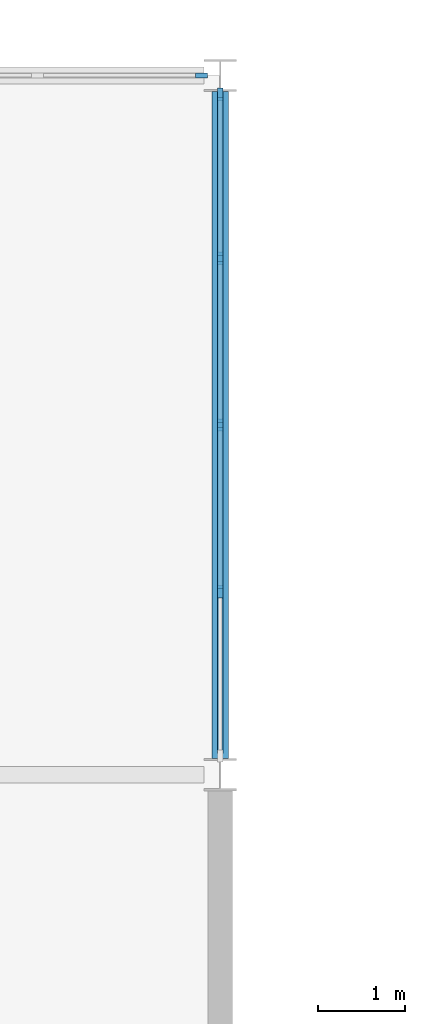
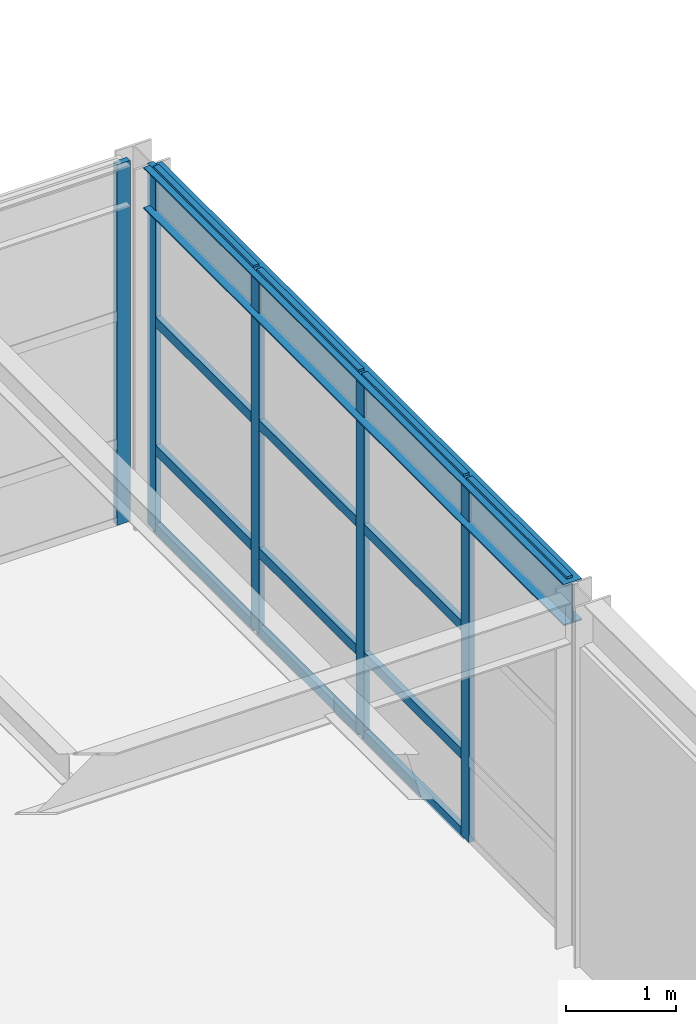
# One storey, part 21 of 50: 18 members, 1 beam, 2 elements without a shape of their own.
"""IFC4 building model written with IfcOpenShell, lengths in metres."""

from ifc_helpers import new_model, si_unit, direction, frame, origin, origin_2d, place, context, subcontext, project, spatial, rectangle, i_section, extrude, material, layer, layer_set, material_profile, profile_set, type_object, element, aggregate, save


model = new_model("IFC4")

# Units and contexts
model_context = context("Model", 3, precision=1e-05, world=origin(), true_north=direction((0.0, 1.0)))
body_context = subcontext(model_context, "Body", "Model", "MODEL_VIEW")
ifc_project = project(units=[si_unit("LENGTHUNIT", "METRE"), si_unit("AREAUNIT", "SQUARE_METRE"), si_unit("VOLUMEUNIT", "CUBIC_METRE"), si_unit("PLANEANGLEUNIT", "RADIAN"), si_unit("MASSUNIT", "GRAM", prefix="KILO")], contexts=[model_context])

# Site, building, storey
site_placement = place(None, origin())
site = spatial("IfcSite", under=ifc_project, at=site_placement, CompositionType="ELEMENT")
building_placement = place(site_placement, origin())
building = spatial("IfcBuilding", under=site, at=building_placement, Name="Varnela Railside Interchange", CompositionType="ELEMENT")
storey_placement = place(building_placement, frame((0.0, 0.0, 15.39990234375)))
storey = spatial("IfcBuildingStorey", under=building, at=storey_placement, Name="L03", CompositionType="ELEMENT", Elevation=15.39990234375)

# Curtain wall, member
ifc_material_1 = material(Name="Aluminium 6063-T6", Category="aluminium")
ifc_layer = layer(ifc_material_1, 0.035888671875)
ifc_layer_set = layer_set([ifc_layer], Name="Aluminium 6063-T6")
curtain_wall_type = type_object("IfcCurtainWallType", Name="Operations Wing Facade Curtain Wall CW-03", PredefinedType="USERDEFINED", material=ifc_layer_set)
curtain_wall_1_placement = place(storey_placement, origin())
curtain_wall_1 = element("IfcCurtainWall", 1, at=curtain_wall_1_placement, inside=storey, type_object=curtain_wall_type, Name="Curtain Wall CW-03 (L03) (CW-083)", ObjectType="CURTAIN WALL", PredefinedType="USERDEFINED")
ifc_material_profile_1 = material_profile(ifc_material_1, rectangle(XDim=0.06005859375, YDim=0.139892578125, at=origin_2d()), Name="ALU 60x140")
ifc_profile_set_1 = profile_set([ifc_material_profile_1], Name="Aluminium 6063-T6")
member_type_1 = type_object("IfcMemberType", Name="Curtain Wall Mullion ML-01", PredefinedType="MULLION", material=ifc_profile_set_1)
member_1_placement = place(storey_placement, frame((51.783447265625, 94.0, 0.0), z_axis=(0.0, 0.0, 1.0), x_axis=(0.0, 1.0, 0.0)))
member_1 = element("IfcMember", 2, at=member_1_placement, type_object=member_type_1, Name="CW-03 mullion 5", PredefinedType="MULLION", context=body_context, shape_type="SweptSolid", body=[
    extrude(rectangle(XDim=0.06005859375, YDim=0.139892578125, at=origin_2d()), origin(), (0.0, 0.0, 1.0), 4.0),
])
aggregate(curtain_wall_1, [member_1])

# Curtain wall, members
curtain_wall_2_placement = place(storey_placement, origin())
curtain_wall_2 = element("IfcCurtainWall", 3, at=curtain_wall_2_placement, inside=storey, type_object=curtain_wall_type, Name="Curtain Wall CW-03 (L03) (CW-085)", ObjectType="CURTAIN WALL", PredefinedType="USERDEFINED")
member_2_placement = place(storey_placement, frame((52.0, 93.785888671875, 0.0), z_axis=(0.0, 0.0, 1.0), x_axis=(1.0, 0.0, 0.0)))
member_2 = element("IfcMember", 4, at=member_2_placement, type_object=member_type_1, Name="CW-03 mullion 1", PredefinedType="MULLION", context=body_context, shape_type="SweptSolid", body=[
    extrude(rectangle(XDim=0.06005859375, YDim=0.139892578125, at=origin_2d()), origin(), (0.0, 0.0, 1.0), 4.0),
])
member_3_placement = place(storey_placement, frame((52.0, 91.907958984375, 0.0), z_axis=(0.0, 0.0, 1.0), x_axis=(1.0, 0.0, 0.0)))
member_3 = element("IfcMember", 5, at=member_3_placement, type_object=member_type_1, Name="CW-03 mullion 2", PredefinedType="MULLION", context=body_context, shape_type="SweptSolid", body=[
    extrude(rectangle(XDim=0.06005859375, YDim=0.139892578125, at=origin_2d()), origin(), (0.0, 0.0, 1.0), 4.0),
])
member_4_placement = place(storey_placement, frame((52.0, 90.0, 0.0), z_axis=(0.0, 0.0, 1.0), x_axis=(1.0, 0.0, 0.0)))
member_4 = element("IfcMember", 6, at=member_4_placement, type_object=member_type_1, Name="CW-03 mullion 3", PredefinedType="MULLION", context=body_context, shape_type="SweptSolid", body=[
    extrude(rectangle(XDim=0.06005859375, YDim=0.139892578125, at=origin_2d()), origin(), (0.0, 0.0, 1.0), 4.0),
])
member_5_placement = place(storey_placement, frame((52.0, 88.092041015625, 0.0), z_axis=(0.0, 0.0, 1.0), x_axis=(1.0, 0.0, 0.0)))
member_5 = element("IfcMember", 7, at=member_5_placement, type_object=member_type_1, Name="CW-03 mullion 4", PredefinedType="MULLION", context=body_context, shape_type="SweptSolid", body=[
    extrude(rectangle(XDim=0.06005859375, YDim=0.139892578125, at=origin_2d()), origin(), (0.0, 0.0, 1.0), 4.0),
])
ifc_material_profile_2 = material_profile(ifc_material_1, rectangle(XDim=0.06005859375, YDim=0.110107421875, at=origin_2d()), Name="ALU 60x110")
ifc_profile_set_2 = profile_set([ifc_material_profile_2], Name="Aluminium 6063-T6")
member_type_2 = type_object("IfcMemberType", Name="Curtain Wall Transom TR-01", PredefinedType="USERDEFINED", material=ifc_profile_set_2)
member_6_placement = place(storey_placement, frame((52.0, 93.756103515625, 0.030029296875), z_axis=(0.0, -1.0, 0.0), x_axis=(1.0, 0.0, 0.0)))
member_6 = element("IfcMember", 8, at=member_6_placement, type_object=member_type_2, Name="CW-03 transom 1.1", ObjectType="TRANSOM", PredefinedType="USERDEFINED", context=body_context, shape_type="SweptSolid", body=[
    extrude(rectangle(XDim=0.06005859375, YDim=0.110107421875, at=origin_2d()), origin(), (0.0, 0.0, 1.0), 1.818115234375),
])
member_7_placement = place(storey_placement, frame((52.0, 93.756103515625, 0.900146484375), z_axis=(0.0, -1.0, 0.0), x_axis=(1.0, 0.0, 0.0)))
member_7 = element("IfcMember", 9, at=member_7_placement, type_object=member_type_2, Name="CW-03 transom 1.2", ObjectType="TRANSOM", PredefinedType="USERDEFINED", context=body_context, shape_type="SweptSolid", body=[
    extrude(rectangle(XDim=0.06005859375, YDim=0.110107421875, at=origin_2d()), origin(), (0.0, 0.0, 1.0), 1.818115234375),
])
member_8_placement = place(storey_placement, frame((52.0, 93.756103515625, 2.320068359375), z_axis=(0.0, -1.0, 0.0), x_axis=(1.0, 0.0, 0.0)))
member_8 = element("IfcMember", 10, at=member_8_placement, type_object=member_type_2, Name="CW-03 transom 1.3", ObjectType="TRANSOM", PredefinedType="USERDEFINED", context=body_context, shape_type="SweptSolid", body=[
    extrude(rectangle(XDim=0.06005859375, YDim=0.110107421875, at=origin_2d()), origin(), (0.0, 0.0, 1.0), 1.818115234375),
])
member_9_placement = place(storey_placement, frame((52.0, 93.756103515625, 3.97021484375), z_axis=(0.0, -1.0, 0.0), x_axis=(1.0, 0.0, 0.0)))
member_9 = element("IfcMember", 11, at=member_9_placement, type_object=member_type_2, Name="CW-03 transom 1.4", ObjectType="TRANSOM", PredefinedType="USERDEFINED", context=body_context, shape_type="SweptSolid", body=[
    extrude(rectangle(XDim=0.06005859375, YDim=0.110107421875, at=origin_2d()), origin(), (0.0, 0.0, 1.0), 1.818115234375),
])
member_10_placement = place(storey_placement, frame((52.0, 91.8779296875, 0.030029296875), z_axis=(0.0, -1.0, 0.0), x_axis=(1.0, 0.0, 0.0)))
member_10 = element("IfcMember", 12, at=member_10_placement, type_object=member_type_2, Name="CW-03 transom 2.1", ObjectType="TRANSOM", PredefinedType="USERDEFINED", context=body_context, shape_type="SweptSolid", body=[
    extrude(rectangle(XDim=0.06005859375, YDim=0.110107421875, at=origin_2d()), origin(), (0.0, 0.0, 1.0), 1.847900390625),
])
member_11_placement = place(storey_placement, frame((52.0, 91.8779296875, 0.900146484375), z_axis=(0.0, -1.0, 0.0), x_axis=(1.0, 0.0, 0.0)))
member_11 = element("IfcMember", 13, at=member_11_placement, type_object=member_type_2, Name="CW-03 transom 2.2", ObjectType="TRANSOM", PredefinedType="USERDEFINED", context=body_context, shape_type="SweptSolid", body=[
    extrude(rectangle(XDim=0.06005859375, YDim=0.110107421875, at=origin_2d()), origin(), (0.0, 0.0, 1.0), 1.847900390625),
])
member_12_placement = place(storey_placement, frame((52.0, 91.8779296875, 2.320068359375), z_axis=(0.0, -1.0, 0.0), x_axis=(1.0, 0.0, 0.0)))
member_12 = element("IfcMember", 14, at=member_12_placement, type_object=member_type_2, Name="CW-03 transom 2.3", ObjectType="TRANSOM", PredefinedType="USERDEFINED", context=body_context, shape_type="SweptSolid", body=[
    extrude(rectangle(XDim=0.06005859375, YDim=0.110107421875, at=origin_2d()), origin(), (0.0, 0.0, 1.0), 1.847900390625),
])
member_13_placement = place(storey_placement, frame((52.0, 91.8779296875, 3.97021484375), z_axis=(0.0, -1.0, 0.0), x_axis=(1.0, 0.0, 0.0)))
member_13 = element("IfcMember", 15, at=member_13_placement, type_object=member_type_2, Name="CW-03 transom 2.4", ObjectType="TRANSOM", PredefinedType="USERDEFINED", context=body_context, shape_type="SweptSolid", body=[
    extrude(rectangle(XDim=0.06005859375, YDim=0.110107421875, at=origin_2d()), origin(), (0.0, 0.0, 1.0), 1.847900390625),
])
member_14_placement = place(storey_placement, frame((52.0, 89.969970703125, 0.030029296875), z_axis=(0.0, -1.0, 0.0), x_axis=(1.0, 0.0, 0.0)))
member_14 = element("IfcMember", 16, at=member_14_placement, type_object=member_type_2, Name="CW-03 transom 3.1", ObjectType="TRANSOM", PredefinedType="USERDEFINED", context=body_context, shape_type="SweptSolid", body=[
    extrude(rectangle(XDim=0.06005859375, YDim=0.110107421875, at=origin_2d()), origin(), (0.0, 0.0, 1.0), 1.847900390625),
])
member_15_placement = place(storey_placement, frame((52.0, 89.969970703125, 0.900146484375), z_axis=(0.0, -1.0, 0.0), x_axis=(1.0, 0.0, 0.0)))
member_15 = element("IfcMember", 17, at=member_15_placement, type_object=member_type_2, Name="CW-03 transom 3.2", ObjectType="TRANSOM", PredefinedType="USERDEFINED", context=body_context, shape_type="SweptSolid", body=[
    extrude(rectangle(XDim=0.06005859375, YDim=0.110107421875, at=origin_2d()), origin(), (0.0, 0.0, 1.0), 1.847900390625),
])
member_16_placement = place(storey_placement, frame((52.0, 89.969970703125, 2.320068359375), z_axis=(0.0, -1.0, 0.0), x_axis=(1.0, 0.0, 0.0)))
member_16 = element("IfcMember", 18, at=member_16_placement, type_object=member_type_2, Name="CW-03 transom 3.3", ObjectType="TRANSOM", PredefinedType="USERDEFINED", context=body_context, shape_type="SweptSolid", body=[
    extrude(rectangle(XDim=0.06005859375, YDim=0.110107421875, at=origin_2d()), origin(), (0.0, 0.0, 1.0), 1.847900390625),
])
member_17_placement = place(storey_placement, frame((52.0, 89.969970703125, 3.97021484375), z_axis=(0.0, -1.0, 0.0), x_axis=(1.0, 0.0, 0.0)))
member_17 = element("IfcMember", 19, at=member_17_placement, type_object=member_type_2, Name="CW-03 transom 3.4", ObjectType="TRANSOM", PredefinedType="USERDEFINED", context=body_context, shape_type="SweptSolid", body=[
    extrude(rectangle(XDim=0.06005859375, YDim=0.110107421875, at=origin_2d()), origin(), (0.0, 0.0, 1.0), 1.847900390625),
])
member_18_placement = place(storey_placement, frame((52.0, 88.06201171875, 3.97021484375), z_axis=(0.0, -1.0, 0.0), x_axis=(1.0, 0.0, 0.0)))
member_18 = element("IfcMember", 20, at=member_18_placement, type_object=member_type_2, Name="CW-03 transom 4.4", ObjectType="TRANSOM", PredefinedType="USERDEFINED", context=body_context, shape_type="SweptSolid", body=[
    extrude(rectangle(XDim=0.06005859375, YDim=0.110107421875, at=origin_2d()), origin(), (0.0, 0.0, 1.0), 1.818115234375),
])
aggregate(curtain_wall_2, [member_2, member_3, member_4, member_5, member_6, member_7, member_8, member_9, member_10, member_11, member_12, member_13, member_14, member_15, member_16, member_17, member_18])

# Beam
ifc_material_2 = material(Name="Steel AR 350 (350 MPa)", Category="steel")
ifc_material_profile_3 = material_profile(ifc_material_2, i_section(OverallWidth=0.19091796875, OverallDepth=0.4599609375, WebThickness=0.010009765625, FlangeThickness=0.01611328125, at=origin_2d()), Name="W460x82")
ifc_profile_set_3 = profile_set([ifc_material_profile_3], Name="Steel AR 350 (350 MPa)")
beam_type = type_object("IfcBeamType", Name="Steel Perimeter Spandrel SP-01", PredefinedType="SPANDREL", material=ifc_profile_set_3)
beam_placement = place(storey_placement, frame((52.0, 86.18408203125, 3.77001953125), z_axis=(0.0, 1.0, 0.0), x_axis=(-1.0, 0.0, 0.0)))
element("IfcBeam", 21, at=beam_placement, inside=storey, type_object=beam_type, Name="Steel Perimeter Spandrel SP-01 (L03) (BM-2341)", PredefinedType="SPANDREL", context=body_context, shape_type="SweptSolid", body=[
    extrude(i_section(OverallWidth=0.19091796875, OverallDepth=0.4599609375, WebThickness=0.010009765625, FlangeThickness=0.01611328125, at=origin_2d()), origin(), (0.0, 0.0, 1.0), 7.6318359375),
])

save(model, "model.ifc")
